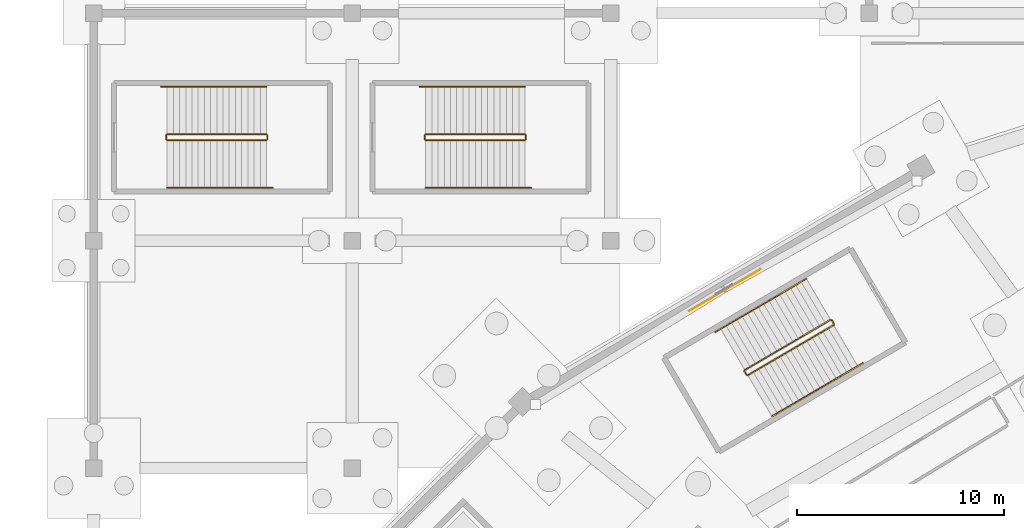
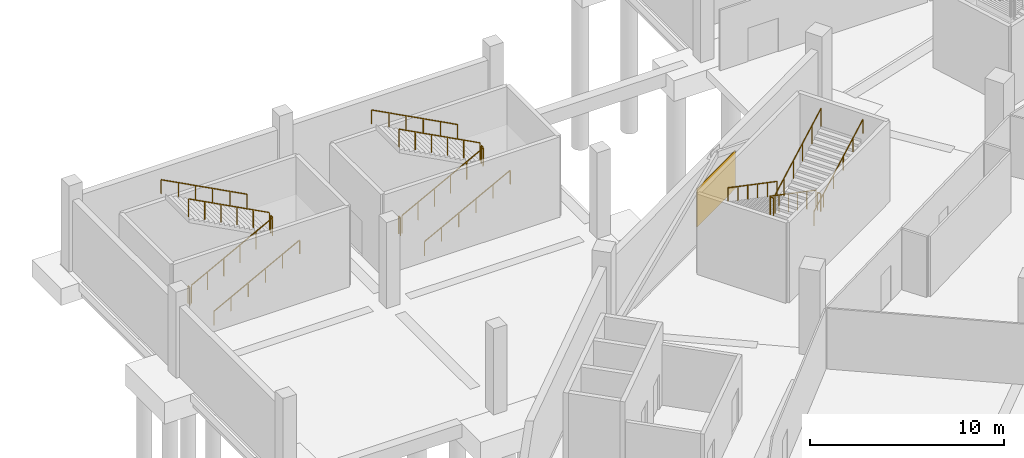
# One storey, part 69 of 74: 18 railings, 1 covering.
"""IFC4 building model written with IfcOpenShell, lengths in metres."""

from ifc_helpers import new_model, si_unit, direction, frame, origin, origin_2d, place, context, subcontext, project, spatial, rectangle, extrude, material, layer, layer_set, type_object, element, save


model = new_model("IFC4")

# Units and contexts
model_context = context("Model", 3, precision=1e-05, world=origin(), true_north=direction((0.0, 1.0)))
body_context = subcontext(model_context, "Body", "Model", "MODEL_VIEW")
ifc_project = project(units=[si_unit("LENGTHUNIT", "METRE"), si_unit("AREAUNIT", "SQUARE_METRE"), si_unit("VOLUMEUNIT", "CUBIC_METRE"), si_unit("PLANEANGLEUNIT", "RADIAN"), si_unit("MASSUNIT", "GRAM", prefix="KILO")], contexts=[model_context])

# Site, building, storey
site_placement = place(None, origin())
site = spatial("IfcSite", under=ifc_project, at=site_placement, CompositionType="ELEMENT")
building_placement = place(site_placement, origin())
building = spatial("IfcBuilding", under=site, at=building_placement, Name="Zlatoyarsky Gate Stadium", CompositionType="ELEMENT")
storey_placement = place(building_placement, frame((0.0, 0.0, -5.39990234375)))
storey = spatial("IfcBuildingStorey", under=building, at=storey_placement, Name="B1", CompositionType="ELEMENT", Elevation=-5.39990234375)

# Covering
ifc_material_1 = material(Name="Fire-retardant birch timber acoustic wall panel", Category="wood")
ifc_layer = layer(ifc_material_1, 0.034912109375)
ifc_layer_set = layer_set([ifc_layer], Name="Fire-retardant birch timber acoustic wall panel")
covering_type = type_object("IfcCoveringType", Name="FLUTED BIRCH ACOUSTIC WALL CLADDING 35", PredefinedType="CLADDING", material=ifc_layer_set)
covering_placement = place(storey_placement, frame((55.013427734375, 135.61279296875, 1.099853515625), z_axis=(0.0, 0.0, 1.0), x_axis=(-0.862884547558, -0.505401085858, 0.0)))
element("IfcCovering", 1, at=covering_placement, inside=storey, type_object=covering_type, Name="B1 acoustic timber wall cladding 03", PredefinedType="CLADDING", context=body_context, shape_type="SweptSolid", body=[
    extrude(rectangle(XDim=4.0, YDim=0.034912109375, at=origin_2d()), origin(), (0.0, 0.0, 1.0), 2.39990234375),
])

# Railings
ifc_material_2 = material(Name="Powder-coated steel stair guardrail", Category="steel")
railing_type_1 = type_object("IfcRailingType", Name="PAINTED STEEL STAIR WELL GUARDRAIL 1150", PredefinedType="GUARDRAIL", material=ifc_material_2)
railing_1_placement = place(storey_placement, frame((60.1220703125, 134.1767578125, 0.15869140625)))
element("IfcRailing", 2, at=railing_1_placement, inside=storey, type_object=railing_type_1, Name="ST-05 B1 stair guard 1", PredefinedType="GUARDRAIL", context=body_context, shape_type="SweptSolid", body=[
    extrude(rectangle(XDim=0.048095703125, YDim=0.048095703125, at=origin_2d()), frame((0.0, 0.0, 1.1259765625), z_axis=(-0.762561047884, -0.446730234253, 0.467902496311), x_axis=(0.505476687537, -0.862840262364, 0.0)), (0.0, 0.0, 1.0), 5.43115234375),
    extrude(rectangle(XDim=0.0419921875, YDim=0.0419921875, at=origin_2d()), origin(), (0.0, 0.0, 1.0), 1.101806640625),
    extrude(rectangle(XDim=0.0419921875, YDim=0.0419921875, at=origin_2d()), frame((-0.828369140625, -0.4853515625, 0.50830078125)), (0.0, 0.0, 1.0), 1.101806640625),
    extrude(rectangle(XDim=0.0419921875, YDim=0.0419921875, at=origin_2d()), frame((-1.65673828125, -0.970458984375, 1.0166015625)), (0.0, 0.0, 1.0), 1.101806640625),
    extrude(rectangle(XDim=0.0419921875, YDim=0.0419921875, at=origin_2d()), frame((-2.48486328125, -1.455810546875, 1.524658203125)), (0.0, 0.0, 1.0), 1.101806640625),
    extrude(rectangle(XDim=0.0419921875, YDim=0.0419921875, at=origin_2d()), frame((-3.313232421875, -1.94091796875, 2.032958984375)), (0.0, 0.0, 1.0), 1.101806640625),
    extrude(rectangle(XDim=0.0419921875, YDim=0.0419921875, at=origin_2d()), frame((-4.1416015625, -2.42626953125, 2.541259765625)), (0.0, 0.0, 1.0), 1.101806640625),
])
railing_2_placement = place(storey_placement, frame((55.962646484375, 131.68212890625, 2.699951171875)))
element("IfcRailing", 3, at=railing_2_placement, inside=storey, type_object=railing_type_1, Name="ST-05 B1 stair guard 2", PredefinedType="GUARDRAIL", context=body_context, shape_type="SweptSolid", body=[
    extrude(rectangle(XDim=0.048095703125, YDim=0.048095703125, at=origin_2d()), frame((0.0, 0.0, 1.1259765625), z_axis=(0.505312229679, -0.862936585467, 0.0), x_axis=(0.862936585467, 0.505312229679, 0.0)), (0.0, 0.0, 1.0), 0.199951171875),
    extrude(rectangle(XDim=0.0419921875, YDim=0.0419921875, at=origin_2d()), origin(), (0.0, 0.0, 1.0), 1.101806640625),
    extrude(rectangle(XDim=0.0419921875, YDim=0.0419921875, at=origin_2d()), frame((0.10107421875, -0.172607421875, 0.0)), (0.0, 0.0, 1.0), 1.101806640625),
])
railing_3_placement = place(storey_placement, frame((56.132080078125, 131.49169921875, 2.858642578125)))
element("IfcRailing", 4, at=railing_3_placement, inside=storey, type_object=railing_type_1, Name="ST-05 B1 stair guard 3", PredefinedType="GUARDRAIL", context=body_context, shape_type="SweptSolid", body=[
    extrude(rectangle(XDim=0.048095703125, YDim=0.048095703125, at=origin_2d()), frame((0.0, 0.0, 1.1259765625), z_axis=(0.762561047884, 0.446730234253, 0.467902496311), x_axis=(-0.505476687537, 0.862840262364, 0.0)), (0.0, 0.0, 1.0), 5.43115234375),
    extrude(rectangle(XDim=0.0419921875, YDim=0.0419921875, at=origin_2d()), origin(), (0.0, 0.0, 1.0), 1.101806640625),
    extrude(rectangle(XDim=0.0419921875, YDim=0.0419921875, at=origin_2d()), frame((0.828369140625, 0.4853515625, 0.50830078125)), (0.0, 0.0, 1.0), 1.101806640625),
    extrude(rectangle(XDim=0.0419921875, YDim=0.0419921875, at=origin_2d()), frame((1.65673828125, 0.970458984375, 1.0166015625)), (0.0, 0.0, 1.0), 1.101806640625),
    extrude(rectangle(XDim=0.0419921875, YDim=0.0419921875, at=origin_2d()), frame((2.48486328125, 1.455810546875, 1.524658203125)), (0.0, 0.0, 1.0), 1.101806640625),
    extrude(rectangle(XDim=0.0419921875, YDim=0.0419921875, at=origin_2d()), frame((3.313232421875, 1.94091796875, 2.032958984375)), (0.0, 0.0, 1.0), 1.101806640625),
    extrude(rectangle(XDim=0.0419921875, YDim=0.0419921875, at=origin_2d()), frame((4.1416015625, 2.42626953125, 2.541259765625)), (0.0, 0.0, 1.0), 1.101806640625),
])
railing_4_placement = place(storey_placement, frame((60.190673828125, 134.158935546875, 0.0)))
element("IfcRailing", 5, at=railing_4_placement, inside=storey, type_object=railing_type_1, Name="ST-05 B1 stair guard 4", PredefinedType="GUARDRAIL", context=body_context, shape_type="SweptSolid", body=[
    extrude(rectangle(XDim=0.048095703125, YDim=0.048095703125, at=origin_2d()), frame((0.0, 0.0, 1.1259765625), z_axis=(0.505312229679, -0.862936585467, 0.0), x_axis=(0.862936585467, 0.505312229679, 0.0)), (0.0, 0.0, 1.0), 0.199951171875),
    extrude(rectangle(XDim=0.0419921875, YDim=0.0419921875, at=origin_2d()), origin(), (0.0, 0.0, 1.0), 1.101806640625),
    extrude(rectangle(XDim=0.0419921875, YDim=0.0419921875, at=origin_2d()), frame((0.10107421875, -0.172607421875, 0.0)), (0.0, 0.0, 1.0), 1.101806640625),
])
railing_5_placement = place(storey_placement, frame((28.050048828125, 142.85009765625, 0.15869140625)))
element("IfcRailing", 6, at=railing_5_placement, inside=storey, type_object=railing_type_1, Name="ST-25 B1 stair guard 1", PredefinedType="GUARDRAIL", context=body_context, shape_type="SweptSolid", body=[
    extrude(rectangle(XDim=0.048095703125, YDim=0.048095703125, at=origin_2d()), frame((0.0, 0.0, 1.1259765625), z_axis=(0.883783542688, 0.0, 0.467895981682), x_axis=(0.0, 1.0, 0.0)), (0.0, 0.0, 1.0), 5.43115234375),
    extrude(rectangle(XDim=0.0419921875, YDim=0.0419921875, at=origin_2d()), origin(), (0.0, 0.0, 1.0), 1.101806640625),
    extrude(rectangle(XDim=0.0419921875, YDim=0.0419921875, at=origin_2d()), frame((0.9599609375, 0.0, 0.50830078125)), (0.0, 0.0, 1.0), 1.101806640625),
    extrude(rectangle(XDim=0.0419921875, YDim=0.0419921875, at=origin_2d()), frame((1.919921875, 0.0, 1.0166015625)), (0.0, 0.0, 1.0), 1.101806640625),
    extrude(rectangle(XDim=0.0419921875, YDim=0.0419921875, at=origin_2d()), frame((2.880126953125, 0.0, 1.524658203125)), (0.0, 0.0, 1.0), 1.101806640625),
    extrude(rectangle(XDim=0.0419921875, YDim=0.0419921875, at=origin_2d()), frame((3.840087890625, 0.0, 2.032958984375)), (0.0, 0.0, 1.0), 1.101806640625),
    extrude(rectangle(XDim=0.0419921875, YDim=0.0419921875, at=origin_2d()), frame((4.800048828125, 0.0, 2.541259765625)), (0.0, 0.0, 1.0), 1.101806640625),
])
railing_6_placement = place(storey_placement, frame((32.89990234375, 142.89990234375, 2.699951171875)))
element("IfcRailing", 7, at=railing_6_placement, inside=storey, type_object=railing_type_1, Name="ST-25 B1 stair guard 2", PredefinedType="GUARDRAIL", context=body_context, shape_type="SweptSolid", body=[
    extrude(rectangle(XDim=0.048095703125, YDim=0.048095703125, at=origin_2d()), frame((0.0, 0.0, 1.1259765625), z_axis=(0.0, 1.0, 0.0), x_axis=(-1.0, 0.0, 0.0)), (0.0, 0.0, 1.0), 0.2001953125),
    extrude(rectangle(XDim=0.0419921875, YDim=0.0419921875, at=origin_2d()), origin(), (0.0, 0.0, 1.0), 1.101806640625),
    extrude(rectangle(XDim=0.0419921875, YDim=0.0419921875, at=origin_2d()), frame((0.0, 0.2001953125, 0.0)), (0.0, 0.0, 1.0), 1.101806640625),
])
railing_7_placement = place(storey_placement, frame((32.85009765625, 143.14990234375, 2.858642578125)))
element("IfcRailing", 8, at=railing_7_placement, inside=storey, type_object=railing_type_1, Name="ST-25 B1 stair guard 3", PredefinedType="GUARDRAIL", context=body_context, shape_type="SweptSolid", body=[
    extrude(rectangle(XDim=0.048095703125, YDim=0.048095703125, at=origin_2d()), frame((0.0, 0.0, 1.1259765625), z_axis=(-0.883783542688, 0.0, 0.467895981682), x_axis=(0.0, -1.0, 0.0)), (0.0, 0.0, 1.0), 5.43115234375),
    extrude(rectangle(XDim=0.0419921875, YDim=0.0419921875, at=origin_2d()), origin(), (0.0, 0.0, 1.0), 1.101806640625),
    extrude(rectangle(XDim=0.0419921875, YDim=0.0419921875, at=origin_2d()), frame((-0.9599609375, 0.0, 0.50830078125)), (0.0, 0.0, 1.0), 1.101806640625),
    extrude(rectangle(XDim=0.0419921875, YDim=0.0419921875, at=origin_2d()), frame((-1.919921875, 0.0, 1.0166015625)), (0.0, 0.0, 1.0), 1.101806640625),
    extrude(rectangle(XDim=0.0419921875, YDim=0.0419921875, at=origin_2d()), frame((-2.880126953125, 0.0, 1.524658203125)), (0.0, 0.0, 1.0), 1.101806640625),
    extrude(rectangle(XDim=0.0419921875, YDim=0.0419921875, at=origin_2d()), frame((-3.840087890625, 0.0, 2.032958984375)), (0.0, 0.0, 1.0), 1.101806640625),
    extrude(rectangle(XDim=0.0419921875, YDim=0.0419921875, at=origin_2d()), frame((-4.800048828125, 0.0, 2.541259765625)), (0.0, 0.0, 1.0), 1.101806640625),
])
railing_8_placement = place(storey_placement, frame((28.0, 142.89990234375, 0.0)))
element("IfcRailing", 9, at=railing_8_placement, inside=storey, type_object=railing_type_1, Name="ST-25 B1 stair guard 4", PredefinedType="GUARDRAIL", context=body_context, shape_type="SweptSolid", body=[
    extrude(rectangle(XDim=0.048095703125, YDim=0.048095703125, at=origin_2d()), frame((0.0, 0.0, 1.1259765625), z_axis=(0.0, 1.0, 0.0), x_axis=(-1.0, 0.0, 0.0)), (0.0, 0.0, 1.0), 0.2001953125),
    extrude(rectangle(XDim=0.0419921875, YDim=0.0419921875, at=origin_2d()), origin(), (0.0, 0.0, 1.0), 1.101806640625),
    extrude(rectangle(XDim=0.0419921875, YDim=0.0419921875, at=origin_2d()), frame((0.0, 0.2001953125, 0.0)), (0.0, 0.0, 1.0), 1.101806640625),
])
railing_9_placement = place(storey_placement, frame((40.550048828125, 142.85009765625, 0.15869140625)))
element("IfcRailing", 10, at=railing_9_placement, inside=storey, type_object=railing_type_1, Name="ST-26 B1 stair guard 1", PredefinedType="GUARDRAIL", context=body_context, shape_type="SweptSolid", body=[
    extrude(rectangle(XDim=0.048095703125, YDim=0.048095703125, at=origin_2d()), frame((0.0, 0.0, 1.1259765625), z_axis=(0.883783542688, 0.0, 0.467895981682), x_axis=(0.0, 1.0, 0.0)), (0.0, 0.0, 1.0), 5.43115234375),
    extrude(rectangle(XDim=0.0419921875, YDim=0.0419921875, at=origin_2d()), origin(), (0.0, 0.0, 1.0), 1.101806640625),
    extrude(rectangle(XDim=0.0419921875, YDim=0.0419921875, at=origin_2d()), frame((0.9599609375, 0.0, 0.50830078125)), (0.0, 0.0, 1.0), 1.101806640625),
    extrude(rectangle(XDim=0.0419921875, YDim=0.0419921875, at=origin_2d()), frame((1.919921875, 0.0, 1.0166015625)), (0.0, 0.0, 1.0), 1.101806640625),
    extrude(rectangle(XDim=0.0419921875, YDim=0.0419921875, at=origin_2d()), frame((2.880126953125, 0.0, 1.524658203125)), (0.0, 0.0, 1.0), 1.101806640625),
    extrude(rectangle(XDim=0.0419921875, YDim=0.0419921875, at=origin_2d()), frame((3.840087890625, 0.0, 2.032958984375)), (0.0, 0.0, 1.0), 1.101806640625),
    extrude(rectangle(XDim=0.0419921875, YDim=0.0419921875, at=origin_2d()), frame((4.800048828125, 0.0, 2.541259765625)), (0.0, 0.0, 1.0), 1.101806640625),
])
railing_10_placement = place(storey_placement, frame((45.39990234375, 142.89990234375, 2.699951171875)))
element("IfcRailing", 11, at=railing_10_placement, inside=storey, type_object=railing_type_1, Name="ST-26 B1 stair guard 2", PredefinedType="GUARDRAIL", context=body_context, shape_type="SweptSolid", body=[
    extrude(rectangle(XDim=0.048095703125, YDim=0.048095703125, at=origin_2d()), frame((0.0, 0.0, 1.1259765625), z_axis=(0.0, 1.0, 0.0), x_axis=(-1.0, 0.0, 0.0)), (0.0, 0.0, 1.0), 0.2001953125),
    extrude(rectangle(XDim=0.0419921875, YDim=0.0419921875, at=origin_2d()), origin(), (0.0, 0.0, 1.0), 1.101806640625),
    extrude(rectangle(XDim=0.0419921875, YDim=0.0419921875, at=origin_2d()), frame((0.0, 0.2001953125, 0.0)), (0.0, 0.0, 1.0), 1.101806640625),
])
railing_11_placement = place(storey_placement, frame((45.35009765625, 143.14990234375, 2.858642578125)))
element("IfcRailing", 12, at=railing_11_placement, inside=storey, type_object=railing_type_1, Name="ST-26 B1 stair guard 3", PredefinedType="GUARDRAIL", context=body_context, shape_type="SweptSolid", body=[
    extrude(rectangle(XDim=0.048095703125, YDim=0.048095703125, at=origin_2d()), frame((0.0, 0.0, 1.1259765625), z_axis=(-0.883783542688, 0.0, 0.467895981682), x_axis=(0.0, -1.0, 0.0)), (0.0, 0.0, 1.0), 5.43115234375),
    extrude(rectangle(XDim=0.0419921875, YDim=0.0419921875, at=origin_2d()), origin(), (0.0, 0.0, 1.0), 1.101806640625),
    extrude(rectangle(XDim=0.0419921875, YDim=0.0419921875, at=origin_2d()), frame((-0.9599609375, 0.0, 0.50830078125)), (0.0, 0.0, 1.0), 1.101806640625),
    extrude(rectangle(XDim=0.0419921875, YDim=0.0419921875, at=origin_2d()), frame((-1.919921875, 0.0, 1.0166015625)), (0.0, 0.0, 1.0), 1.101806640625),
    extrude(rectangle(XDim=0.0419921875, YDim=0.0419921875, at=origin_2d()), frame((-2.880126953125, 0.0, 1.524658203125)), (0.0, 0.0, 1.0), 1.101806640625),
    extrude(rectangle(XDim=0.0419921875, YDim=0.0419921875, at=origin_2d()), frame((-3.840087890625, 0.0, 2.032958984375)), (0.0, 0.0, 1.0), 1.101806640625),
    extrude(rectangle(XDim=0.0419921875, YDim=0.0419921875, at=origin_2d()), frame((-4.800048828125, 0.0, 2.541259765625)), (0.0, 0.0, 1.0), 1.101806640625),
])
railing_12_placement = place(storey_placement, frame((40.5, 142.89990234375, 0.0)))
element("IfcRailing", 13, at=railing_12_placement, inside=storey, type_object=railing_type_1, Name="ST-26 B1 stair guard 4", PredefinedType="GUARDRAIL", context=body_context, shape_type="SweptSolid", body=[
    extrude(rectangle(XDim=0.048095703125, YDim=0.048095703125, at=origin_2d()), frame((0.0, 0.0, 1.1259765625), z_axis=(0.0, 1.0, 0.0), x_axis=(-1.0, 0.0, 0.0)), (0.0, 0.0, 1.0), 0.2001953125),
    extrude(rectangle(XDim=0.0419921875, YDim=0.0419921875, at=origin_2d()), origin(), (0.0, 0.0, 1.0), 1.101806640625),
    extrude(rectangle(XDim=0.0419921875, YDim=0.0419921875, at=origin_2d()), frame((0.0, 0.2001953125, 0.0)), (0.0, 0.0, 1.0), 1.101806640625),
])
ifc_material_3 = material(Name="Brushed stainless steel 316 handrail", Category="steel")
railing_type_2 = type_object("IfcRailingType", Name="STAINLESS STEEL TUBULAR HANDRAIL 900", PredefinedType="HANDRAIL", material=ifc_material_3)
railing_13_placement = place(storey_placement, frame((58.959716796875, 136.161376953125, 0.162841796875)))
element("IfcRailing", 14, at=railing_13_placement, inside=storey, type_object=railing_type_2, Name="ST-05 B1 stair handrail 1", PredefinedType="HANDRAIL", context=body_context, shape_type="SweptSolid", body=[
    extrude(rectangle(XDim=0.048095703125, YDim=0.048095703125, at=origin_2d()), frame((0.0, 0.0, 0.8759765625), z_axis=(-0.762584619125, -0.446720166066, 0.467873692255), x_axis=(0.505456573929, -0.862852045181, 0.0)), (0.0, 0.0, 1.0), 5.770751953125),
    extrude(rectangle(XDim=0.0419921875, YDim=0.0419921875, at=origin_2d()), origin(), (0.0, 0.0, 1.0), 0.851806640625),
    extrude(rectangle(XDim=0.0419921875, YDim=0.0419921875, at=origin_2d()), frame((-0.880126953125, -0.515625, 0.5400390625)), (0.0, 0.0, 1.0), 0.851806640625),
    extrude(rectangle(XDim=0.0419921875, YDim=0.0419921875, at=origin_2d()), frame((-1.76025390625, -1.03125, 1.080078125)), (0.0, 0.0, 1.0), 0.851806640625),
    extrude(rectangle(XDim=0.0419921875, YDim=0.0419921875, at=origin_2d()), frame((-2.640380859375, -1.546630859375, 1.619873046875)), (0.0, 0.0, 1.0), 0.851806640625),
    extrude(rectangle(XDim=0.0419921875, YDim=0.0419921875, at=origin_2d()), frame((-3.5205078125, -2.062255859375, 2.159912109375)), (0.0, 0.0, 1.0), 0.851806640625),
    extrude(rectangle(XDim=0.0419921875, YDim=0.0419921875, at=origin_2d()), frame((-4.400634765625, -2.577880859375, 2.699951171875)), (0.0, 0.0, 1.0), 0.851806640625),
])
railing_14_placement = place(storey_placement, frame((57.294677734375, 129.507080078125, 2.86279296875)))
element("IfcRailing", 15, at=railing_14_placement, inside=storey, type_object=railing_type_2, Name="ST-05 B1 stair handrail 2", PredefinedType="HANDRAIL", context=body_context, shape_type="SweptSolid", body=[
    extrude(rectangle(XDim=0.048095703125, YDim=0.048095703125, at=origin_2d()), frame((0.0, 0.0, 0.8759765625), z_axis=(0.762584619125, 0.446720166066, 0.467873692255), x_axis=(-0.505456573929, 0.862852045181, 0.0)), (0.0, 0.0, 1.0), 5.770751953125),
    extrude(rectangle(XDim=0.0419921875, YDim=0.0419921875, at=origin_2d()), origin(), (0.0, 0.0, 1.0), 0.851806640625),
    extrude(rectangle(XDim=0.0419921875, YDim=0.0419921875, at=origin_2d()), frame((0.880126953125, 0.515625, 0.5400390625)), (0.0, 0.0, 1.0), 0.851806640625),
    extrude(rectangle(XDim=0.0419921875, YDim=0.0419921875, at=origin_2d()), frame((1.76025390625, 1.03125, 1.080078125)), (0.0, 0.0, 1.0), 0.851806640625),
    extrude(rectangle(XDim=0.0419921875, YDim=0.0419921875, at=origin_2d()), frame((2.640380859375, 1.546630859375, 1.619873046875)), (0.0, 0.0, 1.0), 0.851806640625),
    extrude(rectangle(XDim=0.0419921875, YDim=0.0419921875, at=origin_2d()), frame((3.5205078125, 2.062255859375, 2.159912109375)), (0.0, 0.0, 1.0), 0.851806640625),
    extrude(rectangle(XDim=0.0419921875, YDim=0.0419921875, at=origin_2d()), frame((4.400634765625, 2.577880859375, 2.699951171875)), (0.0, 0.0, 1.0), 0.851806640625),
])
railing_15_placement = place(storey_placement, frame((28.050048828125, 140.550048828125, 0.162841796875)))
element("IfcRailing", 16, at=railing_15_placement, inside=storey, type_object=railing_type_2, Name="ST-25 B1 stair handrail 1", PredefinedType="HANDRAIL", context=body_context, shape_type="SweptSolid", body=[
    extrude(rectangle(XDim=0.048095703125, YDim=0.048095703125, at=origin_2d()), frame((0.0, 0.0, 0.8759765625), z_axis=(0.883785858079, 0.0, 0.467891608238), x_axis=(0.0, 1.0, 0.0)), (0.0, 0.0, 1.0), 5.7705078125),
    extrude(rectangle(XDim=0.0419921875, YDim=0.0419921875, at=origin_2d()), origin(), (0.0, 0.0, 1.0), 0.851806640625),
    extrude(rectangle(XDim=0.0419921875, YDim=0.0419921875, at=origin_2d()), frame((1.02001953125, 0.0, 0.5400390625)), (0.0, 0.0, 1.0), 0.851806640625),
    extrude(rectangle(XDim=0.0419921875, YDim=0.0419921875, at=origin_2d()), frame((2.0400390625, 0.0, 1.080078125)), (0.0, 0.0, 1.0), 0.851806640625),
    extrude(rectangle(XDim=0.0419921875, YDim=0.0419921875, at=origin_2d()), frame((3.059814453125, 0.0, 1.619873046875)), (0.0, 0.0, 1.0), 0.851806640625),
    extrude(rectangle(XDim=0.0419921875, YDim=0.0419921875, at=origin_2d()), frame((4.079833984375, 0.0, 2.159912109375)), (0.0, 0.0, 1.0), 0.851806640625),
    extrude(rectangle(XDim=0.0419921875, YDim=0.0419921875, at=origin_2d()), frame((5.099853515625, 0.0, 2.699951171875)), (0.0, 0.0, 1.0), 0.851806640625),
])
railing_16_placement = place(storey_placement, frame((32.85009765625, 145.449951171875, 2.86279296875)))
element("IfcRailing", 17, at=railing_16_placement, inside=storey, type_object=railing_type_2, Name="ST-25 B1 stair handrail 2", PredefinedType="HANDRAIL", context=body_context, shape_type="SweptSolid", body=[
    extrude(rectangle(XDim=0.048095703125, YDim=0.048095703125, at=origin_2d()), frame((0.0, 0.0, 0.8759765625), z_axis=(-0.883795119882, 0.0, 0.467874113489), x_axis=(0.0, -1.0, 0.0)), (0.0, 0.0, 1.0), 5.770751953125),
    extrude(rectangle(XDim=0.0419921875, YDim=0.0419921875, at=origin_2d()), origin(), (0.0, 0.0, 1.0), 0.851806640625),
    extrude(rectangle(XDim=0.0419921875, YDim=0.0419921875, at=origin_2d()), frame((-1.02001953125, 0.0, 0.5400390625)), (0.0, 0.0, 1.0), 0.851806640625),
    extrude(rectangle(XDim=0.0419921875, YDim=0.0419921875, at=origin_2d()), frame((-2.0400390625, 0.0, 1.080078125)), (0.0, 0.0, 1.0), 0.851806640625),
    extrude(rectangle(XDim=0.0419921875, YDim=0.0419921875, at=origin_2d()), frame((-3.06005859375, 0.0, 1.619873046875)), (0.0, 0.0, 1.0), 0.851806640625),
    extrude(rectangle(XDim=0.0419921875, YDim=0.0419921875, at=origin_2d()), frame((-4.080078125, 0.0, 2.159912109375)), (0.0, 0.0, 1.0), 0.851806640625),
    extrude(rectangle(XDim=0.0419921875, YDim=0.0419921875, at=origin_2d()), frame((-5.10009765625, 0.0, 2.699951171875)), (0.0, 0.0, 1.0), 0.851806640625),
])
railing_17_placement = place(storey_placement, frame((40.550048828125, 140.550048828125, 0.162841796875)))
element("IfcRailing", 18, at=railing_17_placement, inside=storey, type_object=railing_type_2, Name="ST-26 B1 stair handrail 1", PredefinedType="HANDRAIL", context=body_context, shape_type="SweptSolid", body=[
    extrude(rectangle(XDim=0.048095703125, YDim=0.048095703125, at=origin_2d()), frame((0.0, 0.0, 0.8759765625), z_axis=(0.883785858079, 0.0, 0.467891608238), x_axis=(0.0, 1.0, 0.0)), (0.0, 0.0, 1.0), 5.7705078125),
    extrude(rectangle(XDim=0.0419921875, YDim=0.0419921875, at=origin_2d()), origin(), (0.0, 0.0, 1.0), 0.851806640625),
    extrude(rectangle(XDim=0.0419921875, YDim=0.0419921875, at=origin_2d()), frame((1.02001953125, 0.0, 0.5400390625)), (0.0, 0.0, 1.0), 0.851806640625),
    extrude(rectangle(XDim=0.0419921875, YDim=0.0419921875, at=origin_2d()), frame((2.0400390625, 0.0, 1.080078125)), (0.0, 0.0, 1.0), 0.851806640625),
    extrude(rectangle(XDim=0.0419921875, YDim=0.0419921875, at=origin_2d()), frame((3.059814453125, 0.0, 1.619873046875)), (0.0, 0.0, 1.0), 0.851806640625),
    extrude(rectangle(XDim=0.0419921875, YDim=0.0419921875, at=origin_2d()), frame((4.079833984375, 0.0, 2.159912109375)), (0.0, 0.0, 1.0), 0.851806640625),
    extrude(rectangle(XDim=0.0419921875, YDim=0.0419921875, at=origin_2d()), frame((5.099853515625, 0.0, 2.699951171875)), (0.0, 0.0, 1.0), 0.851806640625),
])
railing_18_placement = place(storey_placement, frame((45.35009765625, 145.449951171875, 2.86279296875)))
element("IfcRailing", 19, at=railing_18_placement, inside=storey, type_object=railing_type_2, Name="ST-26 B1 stair handrail 2", PredefinedType="HANDRAIL", context=body_context, shape_type="SweptSolid", body=[
    extrude(rectangle(XDim=0.048095703125, YDim=0.048095703125, at=origin_2d()), frame((0.0, 0.0, 0.8759765625), z_axis=(-0.883795119882, 0.0, 0.467874113489), x_axis=(0.0, -1.0, 0.0)), (0.0, 0.0, 1.0), 5.770751953125),
    extrude(rectangle(XDim=0.0419921875, YDim=0.0419921875, at=origin_2d()), origin(), (0.0, 0.0, 1.0), 0.851806640625),
    extrude(rectangle(XDim=0.0419921875, YDim=0.0419921875, at=origin_2d()), frame((-1.02001953125, 0.0, 0.5400390625)), (0.0, 0.0, 1.0), 0.851806640625),
    extrude(rectangle(XDim=0.0419921875, YDim=0.0419921875, at=origin_2d()), frame((-2.0400390625, 0.0, 1.080078125)), (0.0, 0.0, 1.0), 0.851806640625),
    extrude(rectangle(XDim=0.0419921875, YDim=0.0419921875, at=origin_2d()), frame((-3.06005859375, 0.0, 1.619873046875)), (0.0, 0.0, 1.0), 0.851806640625),
    extrude(rectangle(XDim=0.0419921875, YDim=0.0419921875, at=origin_2d()), frame((-4.080078125, 0.0, 2.159912109375)), (0.0, 0.0, 1.0), 0.851806640625),
    extrude(rectangle(XDim=0.0419921875, YDim=0.0419921875, at=origin_2d()), frame((-5.10009765625, 0.0, 2.699951171875)), (0.0, 0.0, 1.0), 0.851806640625),
])

save(model, "model.ifc")
